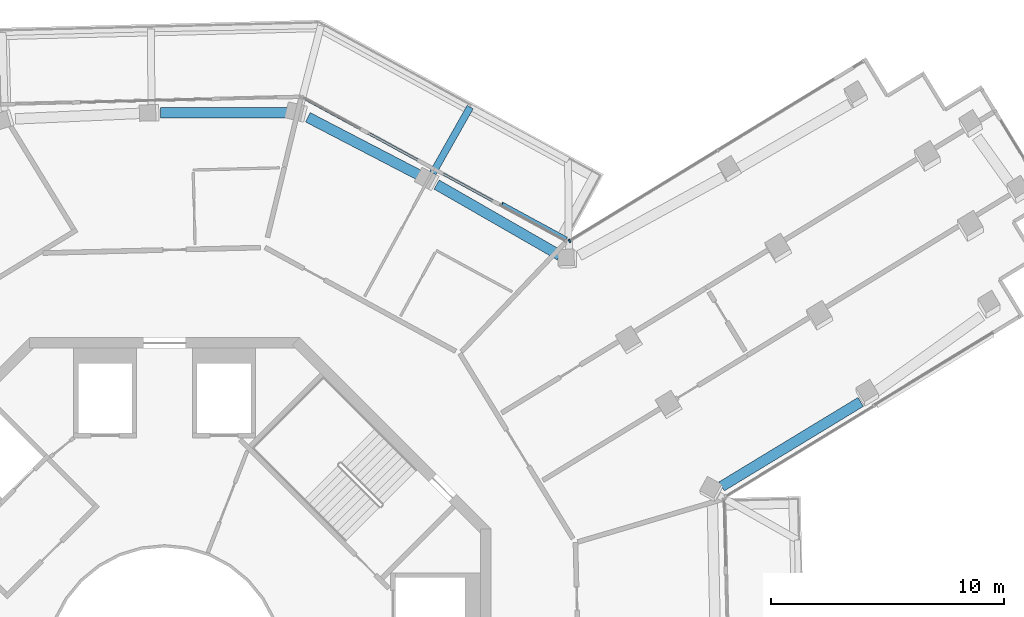
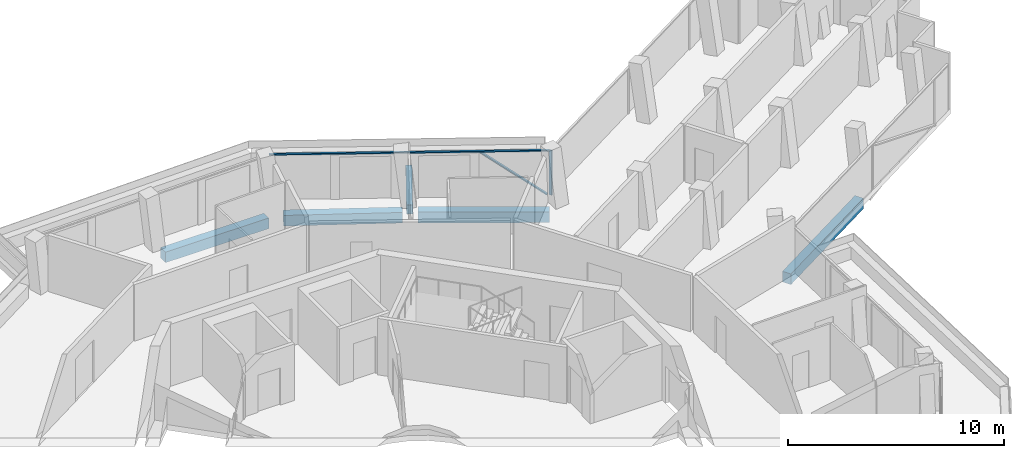
# One storey, part 8 of 26: 5 beams, 3 members, 2 elements without a shape of their own.
"""IFC4 building model written with IfcOpenShell, lengths in metres."""

from ifc_helpers import new_model, si_unit, direction, frame, origin, origin_2d, place, context, subcontext, project, spatial, rectangle, extrude, material, layer, layer_set, material_profile, profile_set, type_object, element, aggregate, save


model = new_model("IFC4")

# Units and contexts
model_context = context("Model", 3, precision=1e-05, world=origin(), true_north=direction((0.0, 1.0)))
body_context = subcontext(model_context, "Body", "Model", "MODEL_VIEW")
ifc_project = project(units=[si_unit("LENGTHUNIT", "METRE"), si_unit("AREAUNIT", "SQUARE_METRE"), si_unit("VOLUMEUNIT", "CUBIC_METRE"), si_unit("PLANEANGLEUNIT", "RADIAN"), si_unit("MASSUNIT", "GRAM", prefix="KILO")], contexts=[model_context])

# Site, building, storey
site_placement = place(None, origin())
site = spatial("IfcSite", under=ifc_project, at=site_placement, CompositionType="ELEMENT")
building_placement = place(site_placement, origin())
building = spatial("IfcBuilding", under=site, at=building_placement, Name="Verdalira Terraces Hotel", CompositionType="ELEMENT")
storey_placement = place(building_placement, frame((0.0, 0.0, 284.5)))
storey = spatial("IfcBuildingStorey", under=building, at=storey_placement, Name="L70", CompositionType="ELEMENT", Elevation=284.5)

# Beam
ifc_material_1 = material(Name="Concrete C40", Category="concrete")
ifc_material_profile_1 = material_profile(ifc_material_1, rectangle(XDim=0.300049, YDim=0.5, at=origin_2d()), Name="RC 300X500")
ifc_profile_set_1 = profile_set([ifc_material_profile_1], Name="Concrete C40")
beam_type_1 = type_object("IfcBeamType", Name="Balcony cantilever beam RC 300X500 C40", PredefinedType="BEAM", material=ifc_profile_set_1)
beam_1_placement = place(storey_placement, frame((11.513672, 21.066895, -0.560059), z_axis=(0.492698013, 0.870200361, 0.0), x_axis=(-0.870200361, 0.492698013, 0.0)))
element("IfcBeam", 1, at=beam_1_placement, inside=storey, type_object=beam_type_1, Name="Balcony cantilever beam R39-2", PredefinedType="BEAM", context=body_context, shape_type="SweptSolid", body=[
    extrude(rectangle(XDim=0.300049, YDim=0.5, at=origin_2d()), origin(), (0.0, 0.0, 1.0), 3.250977),
])

# Curtain wall, member
ifc_material_2 = material(Name="Clear glass", Category="glass")
ifc_layer_1 = layer(ifc_material_2, 0.14990234375)
ifc_layer_set_1 = layer_set([ifc_layer_1], Name="CW1 curtain wall")
curtain_wall_type_1 = type_object("IfcCurtainWallType", Name="CW1 curtain wall", PredefinedType="NOTDEFINED", material=ifc_layer_set_1)
curtain_wall_1_placement = place(storey_placement, origin())
curtain_wall_1 = element("IfcCurtainWall", 2, at=curtain_wall_1_placement, inside=storey, type_object=curtain_wall_type_1, Name="CW1 curtain wall L70 edge 39", PredefinedType="NOTDEFINED")
ifc_material_3 = material(Name="Terracotta frame", Category="masonry")
ifc_material_profile_2 = material_profile(ifc_material_3, rectangle(XDim=0.110107, YDim=0.064941, at=origin_2d()), Name="TR 65x110")
ifc_profile_set_2 = profile_set([ifc_material_profile_2], Name="Terracotta frame")
member_type_1 = type_object("IfcMemberType", Name="CW1 transom 65x110", PredefinedType="USERDEFINED", material=ifc_profile_set_2)
member_1_placement = place(storey_placement, frame((17.270508, 18.133057, 2.557617), z_axis=(-0.878317114, 0.478078494, 0.0), x_axis=(-0.478078494, -0.878317114, 0.0)))
member_1 = element("IfcMember", 3, at=member_1_placement, type_object=member_type_1, Name="CW1 transom", ObjectType="TRANSOM", PredefinedType="USERDEFINED", context=body_context, shape_type="SweptSolid", body=[
    extrude(rectangle(XDim=0.110107, YDim=0.064941, at=origin_2d()), origin(), (0.0, 0.0, 1.0), 12.959717),
])

ifc_material_4 = material(Name="Clear glass", Category="glass")
ifc_layer_2 = layer(ifc_material_4, 0.14990234375)
ifc_layer_set_2 = layer_set([ifc_layer_2], Name="CW2 curtain wall")
curtain_wall_type_2 = type_object("IfcCurtainWallType", Name="CW2 curtain wall", PredefinedType="NOTDEFINED", material=ifc_layer_set_2)
curtain_wall_2_placement = place(storey_placement, origin())
curtain_wall_2 = element("IfcCurtainWall", 4, at=curtain_wall_2_placement, inside=storey, type_object=curtain_wall_type_2, Name="CW2 curtain wall L70 edge 38", PredefinedType="NOTDEFINED")
ifc_material_5 = material(Name="Terracotta frame", Category="masonry")
ifc_material_profile_3 = material_profile(ifc_material_5, rectangle(XDim=0.070068, YDim=0.149902, at=origin_2d()), Name="MU 70x150")
ifc_profile_set_3 = profile_set([ifc_material_profile_3], Name="Terracotta frame")
member_type_2 = type_object("IfcMemberType", Name="CW2 mullion 70x150", PredefinedType="MULLION", material=ifc_profile_set_3)
member_2_placement = place(storey_placement, frame((17.375488, 18.15332, 0.0), z_axis=(0.0, 0.0, 1.0), x_axis=(-0.853186856, -0.521605396, 0.0)))
member_2 = element("IfcMember", 5, at=member_2_placement, type_object=member_type_2, Name="CW2 mullion", PredefinedType="MULLION", context=body_context, shape_type="SweptSolid", body=[
    extrude(rectangle(XDim=0.070068, YDim=0.149902, at=origin_2d()), origin(), (0.0, 0.0, 1.0), 2.524902),
])
aggregate(curtain_wall_2, [member_2])

# Member
ifc_material_6 = material(Name="Terracotta frame", Category="masonry")
ifc_material_profile_4 = material_profile(ifc_material_6, rectangle(XDim=0.149902, YDim=0.060059, at=origin_2d()), Name="GB 60x150")
ifc_profile_set_4 = profile_set([ifc_material_profile_4], Name="Terracotta frame")
member_type_3 = type_object("IfcMemberType", Name="Diagonal glazing bar 60x150", PredefinedType="USERDEFINED", material=ifc_profile_set_4)
member_3_placement = place(storey_placement, frame((17.23291, 18.254883, 0.024658), z_axis=(-0.688668705, 0.374847316, 0.620664889), x_axis=(-0.478075263, -0.878318873, 0.0)))
member_3 = element("IfcMember", 6, at=member_3_placement, type_object=member_type_3, Name="Diagonal glazing bar", ObjectType="GLAZING BAR", PredefinedType="USERDEFINED", context=body_context, shape_type="SweptSolid", body=[
    extrude(rectangle(XDim=0.149902, YDim=0.060059, at=origin_2d()), origin(), (0.0, 0.0, 1.0), 3.988525),
])

aggregate(curtain_wall_1, [member_1, member_3])

# Beams
ifc_material_7 = material(Name="Concrete C40", Category="concrete")
ifc_material_profile_5 = material_profile(ifc_material_7, rectangle(XDim=0.449951, YDim=0.600098, at=origin_2d()), Name="RC 450X600")
ifc_profile_set_5 = profile_set([ifc_material_profile_5], Name="Concrete C40")
beam_type_2 = type_object("IfcBeamType", Name="Spandrel beam RC 450X600 C40", PredefinedType="SPANDREL", material=ifc_profile_set_5)
beam_2_placement = place(storey_placement, frame((23.906982, 7.617188, -0.610107), z_axis=(0.854679496, 0.519156006, 0.0), x_axis=(-0.519156006, 0.854679496, 0.0)))
element("IfcBeam", 7, at=beam_2_placement, inside=storey, type_object=beam_type_2, Name="Spandrel beam B19", PredefinedType="SPANDREL", context=body_context, shape_type="SweptSolid", body=[
    extrude(rectangle(XDim=0.449951, YDim=0.600098, at=origin_2d()), origin(), (0.0, 0.0, 1.0), 6.983887),
])
beam_3_placement = place(storey_placement, frame((16.962891, 17.532471, -0.610107), z_axis=(-0.867028259, 0.498258966, 0.0), x_axis=(-0.498258966, -0.867028259, 0.0)))
element("IfcBeam", 8, at=beam_3_placement, inside=storey, type_object=beam_type_2, Name="Spandrel beam B24", PredefinedType="SPANDREL", context=body_context, shape_type="SweptSolid", body=[
    extrude(rectangle(XDim=0.449951, YDim=0.600098, at=origin_2d()), origin(), (0.0, 0.0, 1.0), 6.097412),
])
beam_4_placement = place(storey_placement, frame((11.049316, 20.913086, -0.610107), z_axis=(-0.887386155, 0.461026911, 0.0), x_axis=(-0.461026911, -0.887386155, 0.0)))
element("IfcBeam", 9, at=beam_4_placement, inside=storey, type_object=beam_type_2, Name="Spandrel beam B25", PredefinedType="SPANDREL", context=body_context, shape_type="SweptSolid", body=[
    extrude(rectangle(XDim=0.449951, YDim=0.600098, at=origin_2d()), origin(), (0.0, 0.0, 1.0), 5.52124),
])
beam_5_placement = place(storey_placement, frame((5.351074, 23.6521, -0.610107), z_axis=(-1.0, 0.0, 0.0), x_axis=(0.0, -1.0, 0.0)))
element("IfcBeam", 10, at=beam_5_placement, inside=storey, type_object=beam_type_2, Name="Spandrel beam B26", PredefinedType="SPANDREL", context=body_context, shape_type="SweptSolid", body=[
    extrude(rectangle(XDim=0.449951, YDim=0.600098, at=origin_2d()), origin(), (0.0, 0.0, 1.0), 5.523682),
])

save(model, "model.ifc")
